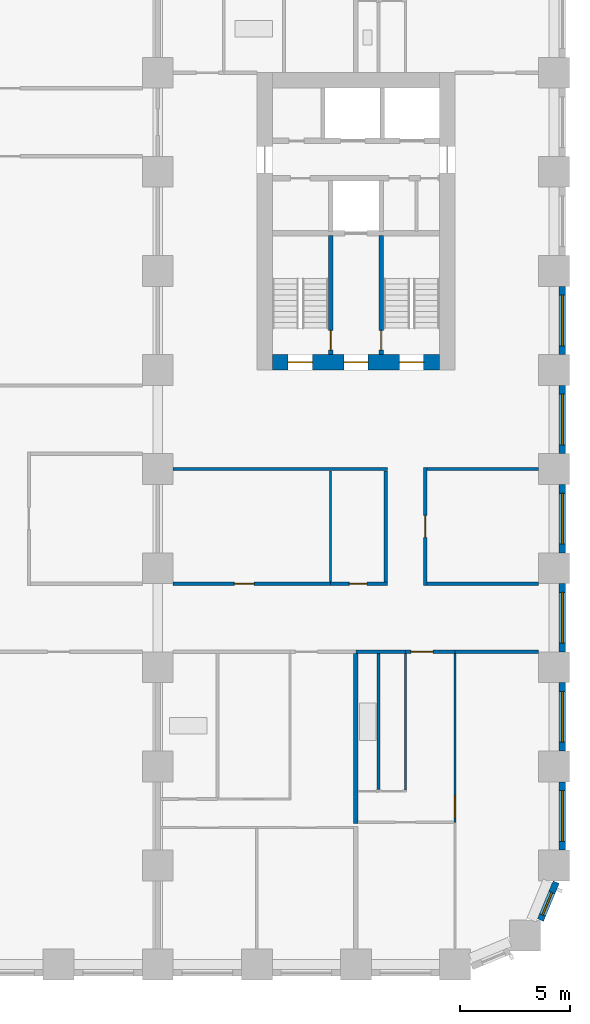
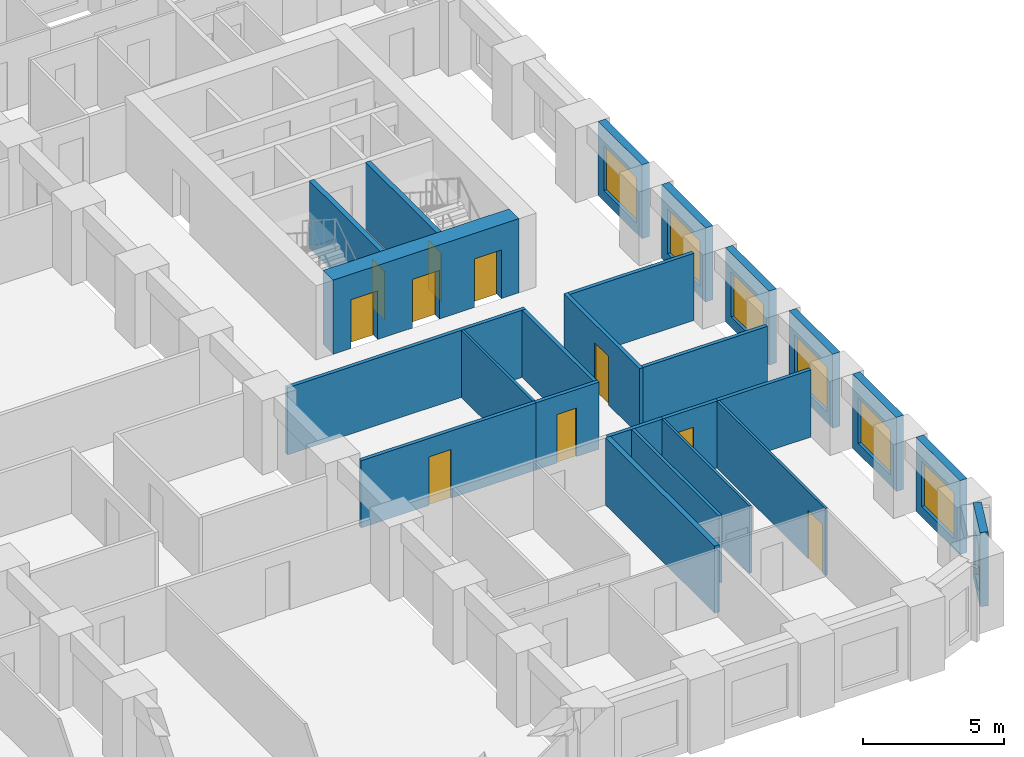
# One storey, part 5 of 12: 25 walls, 10 doors, 7 windows, 17 openings.
"""IFC4 building model written with IfcOpenShell, lengths in metres."""

from ifc_helpers import new_model, si_unit, direction, frame, frame_2d, origin, place, context, subcontext, project, spatial, rectangle, extrude, material, layer, layer_set, type_object, element, fill, save


model = new_model("IFC4")

# Units and contexts
model_context = context("Model", 3, precision=1e-05, world=origin(), true_north=direction((0.0, 1.0)))
body_context = subcontext(model_context, "Body", "Model", "MODEL_VIEW")
ifc_project = project(units=[si_unit("LENGTHUNIT", "METRE"), si_unit("AREAUNIT", "SQUARE_METRE"), si_unit("VOLUMEUNIT", "CUBIC_METRE"), si_unit("PLANEANGLEUNIT", "RADIAN"), si_unit("MASSUNIT", "GRAM", prefix="KILO")], contexts=[model_context])

# Site, building, storey
site_placement = place(None, origin())
site = spatial("IfcSite", under=ifc_project, at=site_placement, CompositionType="ELEMENT")
building_placement = place(site_placement, origin())
building = spatial("IfcBuilding", under=site, at=building_placement, Name="Girih Gate Residences", CompositionType="ELEMENT")
storey_placement = place(building_placement, frame((0.0, 0.0, 68.800048828125)))
storey = spatial("IfcBuildingStorey", under=building, at=storey_placement, Name="L18", CompositionType="ELEMENT", Elevation=68.800048828125)

# Wall
ifc_material_1 = material(Name="Gypsum board on steel studs", Category="steel")
ifc_layer_1 = layer(ifc_material_1, 0.14990234375)
ifc_layer_set_1 = layer_set([ifc_layer_1], Name="Compartment wall 150 mm")
wall_type_1 = type_object("IfcWallType", Name="Compartment wall 150 mm", PredefinedType="PARTITIONING", material=ifc_layer_set_1)
wall_1_placement = place(storey_placement, frame((40.5, 14.199951171875, 0.0), z_axis=(0.0, 0.0, 1.0), x_axis=(1.0, 0.0, 0.0)))
element("IfcWall", 1, at=wall_1_placement, inside=storey, type_object=wall_type_1, Name="L18 partition", PredefinedType="PARTITIONING", context=body_context, shape_type="SweptSolid", body=[
    extrude(rectangle(XDim=2.25, YDim=0.14990234375, at=frame_2d((1.125, 0.0))), origin(), (0.0, 0.0, 1.0), 2.89990234375),
])

# Wall, opening, door
wall_2_placement = place(storey_placement, frame((45.0, 14.199951171875, 0.0), z_axis=(0.0, 0.0, 1.0), x_axis=(-1.0, 0.0, 0.0)))
wall_2 = element("IfcWall", 2, at=wall_2_placement, inside=storey, type_object=wall_type_1, Name="L18 partition", PredefinedType="PARTITIONING", context=body_context, shape_type="SweptSolid", body=[
    extrude(rectangle(XDim=2.25, YDim=0.14990234375, at=frame_2d((1.125, 0.0))), origin(), (0.0, 0.0, 1.0), 2.89990234375),
])
opening_1_placement = place(wall_2_placement, frame((1.0, 0.0, 0.0)))
opening_1 = element("IfcOpeningElement", 3, at=opening_1_placement, cuts=wall_2, Name="Opening A18-018", PredefinedType="OPENING", context=body_context, shape_type="SweptSolid", body=[
    extrude(rectangle(XDim=1.0, YDim=2.10009765625, at=frame_2d((0.5, 1.050048828125))), frame((0.0, 0.0849609375, 0.0), z_axis=(0.0, -1.0, 0.0), x_axis=(1.0, 0.0, 0.0)), (0.0, 0.0, 1.0), 0.169921875),
])
ifc_material_2 = material(Name="Timber, fire-rated core", Category="wood")
door_type_1 = type_object("IfcDoorType", Name="Flat entrance door 1000x2100 FD30S", OperationType="NOTDEFINED", PredefinedType="DOOR", material=ifc_material_2)
door_1_placement = place(opening_1_placement, origin())
door_1 = element("IfcDoor", 4, at=door_1_placement, inside=storey, type_object=door_type_1, Name="Door A18-018", OperationType="SINGLE_SWING_RIGHT", OverallHeight=2.10009765625, OverallWidth=1.0, PredefinedType="DOOR", context=body_context, shape_type="SweptSolid", body=[
    extrude(rectangle(XDim=1.0, YDim=2.10009765625, at=frame_2d((0.5, 1.050048828125))), frame((0.0, 0.02490234375, 0.0), z_axis=(0.0, -1.0, 0.0), x_axis=(1.0, 0.0, 0.0)), (0.0, 0.0, 1.0), 0.050048828125),
])
fill(opening_1, door_1)

# Wall
wall_3_placement = place(storey_placement, frame((45.0, 14.199951171875, 0.0), z_axis=(0.0, 0.0, 1.0), x_axis=(1.0, 0.0, 0.0)))
element("IfcWall", 5, at=wall_3_placement, inside=storey, type_object=wall_type_1, Name="L18 partition", PredefinedType="PARTITIONING", context=body_context, shape_type="SweptSolid", body=[
    extrude(rectangle(XDim=3.800048828125, YDim=0.14990234375, at=frame_2d((1.89990234375, 0.0))), origin(), (0.0, 0.0, 1.0), 2.89990234375),
])

# Wall, opening, door
wall_4_placement = place(storey_placement, frame((32.199951171875, 17.300048828125, 0.0), z_axis=(0.0, 0.0, 1.0), x_axis=(1.0, 0.0, 0.0)))
wall_4 = element("IfcWall", 6, at=wall_4_placement, inside=storey, type_object=wall_type_1, Name="L18 partition", PredefinedType="PARTITIONING", context=body_context, shape_type="SweptSolid", body=[
    extrude(rectangle(XDim=7.150146484375, YDim=0.14990234375, at=frame_2d((3.5751953125, 0.0))), origin(), (0.0, 0.0, 1.0), 2.89990234375),
])
opening_2_placement = place(wall_4_placement, frame((2.77490234375, 0.0, 0.0)))
opening_2 = element("IfcOpeningElement", 7, at=opening_2_placement, cuts=wall_4, Name="Opening A18-042", PredefinedType="OPENING", context=body_context, shape_type="SweptSolid", body=[
    extrude(rectangle(XDim=0.89990234375, YDim=2.10009765625, at=frame_2d((0.449951171875, 1.050048828125))), frame((0.0, 0.0849609375, 0.0), z_axis=(0.0, -1.0, 0.0), x_axis=(1.0, 0.0, 0.0)), (0.0, 0.0, 1.0), 0.169921875),
])
ifc_material_3 = material(Name="Timber", Category="wood")
door_type_2 = type_object("IfcDoorType", Name="Service room door 900x2100", OperationType="NOTDEFINED", PredefinedType="DOOR", material=ifc_material_3)
door_2_placement = place(opening_2_placement, origin())
door_2 = element("IfcDoor", 8, at=door_2_placement, inside=storey, type_object=door_type_2, Name="Door A18-042", OperationType="SINGLE_SWING_LEFT", OverallHeight=2.10009765625, OverallWidth=0.89990234375, PredefinedType="DOOR", context=body_context, shape_type="SweptSolid", body=[
    extrude(rectangle(XDim=0.89990234375, YDim=2.10009765625, at=frame_2d((0.449951171875, 1.050048828125))), frame((0.0, 0.02490234375, 0.0), z_axis=(0.0, -1.0, 0.0), x_axis=(1.0, 0.0, 0.0)), (0.0, 0.0, 1.0), 0.050048828125),
])
fill(opening_2, door_2)

wall_5_placement = place(storey_placement, frame((39.35009765625, 17.300048828125, 0.0), z_axis=(0.0, 0.0, 1.0), x_axis=(1.0, 0.0, 0.0)))
wall_5 = element("IfcWall", 9, at=wall_5_placement, inside=storey, type_object=wall_type_1, Name="L18 partition", PredefinedType="PARTITIONING", context=body_context, shape_type="SweptSolid", body=[
    extrude(rectangle(XDim=2.574951171875, YDim=0.14990234375, at=frame_2d((1.28759765625, 0.0))), origin(), (0.0, 0.0, 1.0), 2.89990234375),
])
opening_3_placement = place(wall_5_placement, frame((0.85009765625, 0.0, 0.0)))
opening_3 = element("IfcOpeningElement", 10, at=opening_3_placement, cuts=wall_5, Name="Opening A18-044", PredefinedType="OPENING", context=body_context, shape_type="SweptSolid", body=[
    extrude(rectangle(XDim=0.800048828125, YDim=2.10009765625, at=frame_2d((0.39990234375, 1.050048828125))), frame((0.0, 0.0849609375, 0.0), z_axis=(0.0, -1.0, 0.0), x_axis=(1.0, 0.0, 0.0)), (0.0, 0.0, 1.0), 0.169921875),
])
door_type_3 = type_object("IfcDoorType", Name="Bathroom door 800x2100", OperationType="NOTDEFINED", PredefinedType="DOOR", material=ifc_material_3)
door_3_placement = place(opening_3_placement, origin())
door_3 = element("IfcDoor", 11, at=door_3_placement, inside=storey, type_object=door_type_3, Name="Door A18-044", OperationType="SINGLE_SWING_LEFT", OverallHeight=2.10009765625, OverallWidth=0.800048828125, PredefinedType="DOOR", context=body_context, shape_type="SweptSolid", body=[
    extrude(rectangle(XDim=0.800048828125, YDim=2.10009765625, at=frame_2d((0.39990234375, 1.050048828125))), frame((0.0, 0.02490234375, 0.0), z_axis=(0.0, -1.0, 0.0), x_axis=(1.0, 0.0, 0.0)), (0.0, 0.0, 1.0), 0.050048828125),
])
fill(opening_3, door_3)

# Walls
wall_6_placement = place(storey_placement, frame((43.72509765625, 17.300048828125, 0.0), z_axis=(0.0, 0.0, 1.0), x_axis=(1.0, 0.0, 0.0)))
element("IfcWall", 12, at=wall_6_placement, inside=storey, type_object=wall_type_1, Name="L18 partition", PredefinedType="PARTITIONING", context=body_context, shape_type="SweptSolid", body=[
    extrude(rectangle(XDim=5.074951171875, YDim=0.14990234375, at=frame_2d((2.53759765625, 0.0))), origin(), (0.0, 0.0, 1.0), 2.89990234375),
])
wall_7_placement = place(storey_placement, frame((32.199951171875, 22.5, 0.0), z_axis=(0.0, 0.0, 1.0), x_axis=(1.0, 0.0, 0.0)))
element("IfcWall", 13, at=wall_7_placement, inside=storey, type_object=wall_type_1, Name="L18 partition", PredefinedType="PARTITIONING", context=body_context, shape_type="SweptSolid", body=[
    extrude(rectangle(XDim=9.72509765625, YDim=0.14990234375, at=frame_2d((4.862548828125, 0.0))), origin(), (0.0, 0.0, 1.0), 2.89990234375),
])
wall_8_placement = place(storey_placement, frame((43.72509765625, 22.5, 0.0), z_axis=(0.0, 0.0, 1.0), x_axis=(1.0, 0.0, 0.0)))
element("IfcWall", 14, at=wall_8_placement, inside=storey, type_object=wall_type_1, Name="L18 partition", PredefinedType="PARTITIONING", context=body_context, shape_type="SweptSolid", body=[
    extrude(rectangle(XDim=5.074951171875, YDim=0.14990234375, at=frame_2d((2.53759765625, 0.0))), origin(), (0.0, 0.0, 1.0), 2.89990234375),
])
wall_9_placement = place(storey_placement, frame((41.85009765625, 17.375, 0.0), z_axis=(0.0, 0.0, 1.0), x_axis=(0.0, 1.0, 0.0)))
element("IfcWall", 15, at=wall_9_placement, inside=storey, type_object=wall_type_1, Name="L18 partition", PredefinedType="PARTITIONING", context=body_context, shape_type="SweptSolid", body=[
    extrude(rectangle(XDim=5.050048828125, YDim=0.14990234375, at=frame_2d((2.52490234375, 0.0))), origin(), (0.0, 0.0, 1.0), 2.89990234375),
])

# Wall, opening, door
wall_10_placement = place(storey_placement, frame((43.64990234375, 22.574951171875, 0.0), z_axis=(0.0, 0.0, 1.0), x_axis=(0.0, -1.0, 0.0)))
wall_10 = element("IfcWall", 16, at=wall_10_placement, inside=storey, type_object=wall_type_1, Name="L18 partition", PredefinedType="PARTITIONING", context=body_context, shape_type="SweptSolid", body=[
    extrude(rectangle(XDim=5.349853515625, YDim=0.14990234375, at=frame_2d((2.6748046875, 0.0))), origin(), (0.0, 0.0, 1.0), 2.89990234375),
])
opening_4_placement = place(wall_10_placement, frame((2.175048828125, 0.0, 0.0)))
opening_4 = element("IfcOpeningElement", 17, at=opening_4_placement, cuts=wall_10, Name="Opening A18-046", PredefinedType="OPENING", context=body_context, shape_type="SweptSolid", body=[
    extrude(rectangle(XDim=1.0, YDim=2.10009765625, at=frame_2d((0.5, 1.050048828125))), frame((0.0, 0.0849609375, 0.0), z_axis=(0.0, -1.0, 0.0), x_axis=(1.0, 0.0, 0.0)), (0.0, 0.0, 1.0), 0.169921875),
])
door_type_4 = type_object("IfcDoorType", Name="Amenity room door 1000x2100 FD30S", OperationType="NOTDEFINED", PredefinedType="DOOR", material=ifc_material_2)
door_4_placement = place(opening_4_placement, origin())
door_4 = element("IfcDoor", 18, at=door_4_placement, inside=storey, type_object=door_type_4, Name="Door A18-046", OperationType="SINGLE_SWING_RIGHT", OverallHeight=2.10009765625, OverallWidth=1.0, PredefinedType="DOOR", context=body_context, shape_type="SweptSolid", body=[
    extrude(rectangle(XDim=1.0, YDim=2.10009765625, at=frame_2d((0.5, 1.050048828125))), frame((0.0, 0.02490234375, 0.0), z_axis=(0.0, -1.0, 0.0), x_axis=(1.0, 0.0, 0.0)), (0.0, 0.0, 1.0), 0.050048828125),
])
fill(opening_4, door_4)

# Wall, openings, doors
ifc_material_4 = material(Name="Concrete C60/75", Category="concrete")
ifc_layer_2 = layer(ifc_material_4, 0.699951171875)
ifc_layer_set_2 = layer_set([ifc_layer_2], Name="Core wall RC 700 Concrete C60/75")
wall_type_2 = type_object("IfcWallType", Name="Core wall RC 700 Concrete C60/75", PredefinedType="SOLIDWALL", material=ifc_layer_set_2)
wall_11_placement = place(storey_placement, frame((36.699951171875, 27.35009765625, 0.0), z_axis=(0.0, 0.0, 1.0), x_axis=(1.0, 0.0, 0.0)))
wall_11 = element("IfcWall", 19, at=wall_11_placement, inside=storey, type_object=wall_type_2, Name="Core wall E-S L18", PredefinedType="SOLIDWALL", context=body_context, shape_type="SweptSolid", body=[
    extrude(rectangle(XDim=7.60009765625, YDim=0.699951171875, at=frame_2d((3.800048828125, 0.0))), origin(), (0.0, 0.0, 1.0), 3.199951171875),
])
opening_5_placement = place(wall_11_placement, frame((5.77490234375, 0.0, 0.0)))
opening_5 = element("IfcOpeningElement", 20, at=opening_5_placement, cuts=wall_11, Name="Opening D-L18-E-010", PredefinedType="OPENING", context=body_context, shape_type="SweptSolid", body=[
    extrude(rectangle(XDim=1.10009765625, YDim=2.10009765625, at=frame_2d((0.550048828125, 1.050048828125))), frame((0.0, 0.35986328125, 0.0), z_axis=(0.0, -1.0, 0.0), x_axis=(1.0, 0.0, 0.0)), (0.0, 0.0, 1.0), 0.719970703125),
])
opening_6_placement = place(wall_11_placement, frame((3.25, 0.0, 0.0)))
opening_6 = element("IfcOpeningElement", 21, at=opening_6_placement, cuts=wall_11, Name="Opening D-L18-E-011", PredefinedType="OPENING", context=body_context, shape_type="SweptSolid", body=[
    extrude(rectangle(XDim=1.10009765625, YDim=2.10009765625, at=frame_2d((0.550048828125, 1.050048828125))), frame((0.0, 0.35986328125, 0.0), z_axis=(0.0, -1.0, 0.0), x_axis=(1.0, 0.0, 0.0)), (0.0, 0.0, 1.0), 0.719970703125),
])
opening_7_placement = place(wall_11_placement, frame((0.72509765625, 0.0, 0.0)))
opening_7 = element("IfcOpeningElement", 22, at=opening_7_placement, cuts=wall_11, Name="Opening D-L18-E-012", PredefinedType="OPENING", context=body_context, shape_type="SweptSolid", body=[
    extrude(rectangle(XDim=1.10009765625, YDim=2.10009765625, at=frame_2d((0.550048828125, 1.050048828125))), frame((0.0, 0.35986328125, 0.0), z_axis=(0.0, -1.0, 0.0), x_axis=(1.0, 0.0, 0.0)), (0.0, 0.0, 1.0), 0.719970703125),
])
ifc_material_5 = material(Name="Painted steel, fire-resisting", Category="steel")
door_type_5 = type_object("IfcDoorType", Name="Fire door 1100x2100", OperationType="SINGLE_SWING_LEFT", PredefinedType="DOOR", material=ifc_material_5)
door_5_placement = place(opening_5_placement, origin())
door_5 = element("IfcDoor", 23, at=door_5_placement, inside=storey, type_object=door_type_5, Name="L18 E core door sta-out", OperationType="SINGLE_SWING_LEFT", OverallHeight=2.10009765625, OverallWidth=1.10009765625, PredefinedType="DOOR", context=body_context, shape_type="SweptSolid", body=[
    extrude(rectangle(XDim=1.10009765625, YDim=2.10009765625, at=frame_2d((0.550048828125, 1.050048828125))), frame((0.0, 0.02490234375, 0.0), z_axis=(0.0, -1.0, 0.0), x_axis=(1.0, 0.0, 0.0)), (0.0, 0.0, 1.0), 0.050048828125),
])
fill(opening_5, door_5)
door_6_placement = place(opening_6_placement, origin())
door_6 = element("IfcDoor", 24, at=door_6_placement, inside=storey, type_object=door_type_5, Name="L18 E core door ffl-out", OperationType="SINGLE_SWING_LEFT", OverallHeight=2.10009765625, OverallWidth=1.10009765625, PredefinedType="DOOR", context=body_context, shape_type="SweptSolid", body=[
    extrude(rectangle(XDim=1.10009765625, YDim=2.10009765625, at=frame_2d((0.550048828125, 1.050048828125))), frame((0.0, 0.02490234375, 0.0), z_axis=(0.0, -1.0, 0.0), x_axis=(1.0, 0.0, 0.0)), (0.0, 0.0, 1.0), 0.050048828125),
])
fill(opening_6, door_6)
door_7_placement = place(opening_7_placement, origin())
door_7 = element("IfcDoor", 25, at=door_7_placement, inside=storey, type_object=door_type_5, Name="L18 E core door stb-out", OperationType="SINGLE_SWING_LEFT", OverallHeight=2.10009765625, OverallWidth=1.10009765625, PredefinedType="DOOR", context=body_context, shape_type="SweptSolid", body=[
    extrude(rectangle(XDim=1.10009765625, YDim=2.10009765625, at=frame_2d((0.550048828125, 1.050048828125))), frame((0.0, 0.02490234375, 0.0), z_axis=(0.0, -1.0, 0.0), x_axis=(1.0, 0.0, 0.0)), (0.0, 0.0, 1.0), 0.050048828125),
])
fill(opening_7, door_7)

# Wall
ifc_layer_3 = layer(ifc_material_1, 0.10009765625)
ifc_layer_set_3 = layer_set([ifc_layer_3], Name="Partition 100 mm")
wall_type_3 = type_object("IfcWallType", Name="Partition 100 mm", PredefinedType="PARTITIONING", material=ifc_layer_set_3)
wall_12_placement = place(storey_placement, frame((42.75, 7.929931640625, 0.0), z_axis=(0.0, 0.0, 1.0), x_axis=(0.0, 1.0, 0.0)))
element("IfcWall", 26, at=wall_12_placement, inside=storey, type_object=wall_type_3, Name="L18 partition", PredefinedType="PARTITIONING", context=body_context, shape_type="SweptSolid", body=[
    extrude(rectangle(XDim=6.195068359375, YDim=0.10009765625, at=frame_2d((3.09765625, 0.0))), origin(), (0.0, 0.0, 1.0), 2.89990234375),
])

# Wall, opening, door
wall_13_placement = place(storey_placement, frame((45.0, 14.125, 0.0), z_axis=(0.0, 0.0, 1.0), x_axis=(0.0, -1.0, 0.0)))
wall_13 = element("IfcWall", 27, at=wall_13_placement, inside=storey, type_object=wall_type_3, Name="L18 partition", PredefinedType="PARTITIONING", context=body_context, shape_type="SweptSolid", body=[
    extrude(rectangle(XDim=7.6650390625, YDim=0.10009765625, at=frame_2d((3.83251953125, 0.0))), origin(), (0.0, 0.0, 1.0), 2.89990234375),
])
opening_8_placement = place(wall_13_placement, frame((6.455078125, 0.0, 0.0)))
opening_8 = element("IfcOpeningElement", 28, at=opening_8_placement, cuts=wall_13, Name="Opening A18-017", PredefinedType="OPENING", context=body_context, shape_type="SweptSolid", body=[
    extrude(rectangle(XDim=1.0, YDim=2.10009765625, at=frame_2d((0.5, 1.050048828125))), frame((0.0, 0.06005859375, 0.0), z_axis=(0.0, -1.0, 0.0), x_axis=(1.0, 0.0, 0.0)), (0.0, 0.0, 1.0), 0.1201171875),
])
door_type_6 = type_object("IfcDoorType", Name="Living room door 1000x2100", OperationType="NOTDEFINED", PredefinedType="DOOR", material=ifc_material_3)
door_8_placement = place(opening_8_placement, origin())
door_8 = element("IfcDoor", 29, at=door_8_placement, inside=storey, type_object=door_type_6, Name="Door A18-017", OperationType="SINGLE_SWING_RIGHT", OverallHeight=2.10009765625, OverallWidth=1.0, PredefinedType="DOOR", context=body_context, shape_type="SweptSolid", body=[
    extrude(rectangle(XDim=1.0, YDim=2.10009765625, at=frame_2d((0.5, 1.050048828125))), frame((0.0, 0.02490234375, 0.0), z_axis=(0.0, -1.0, 0.0), x_axis=(1.0, 0.0, 0.0)), (0.0, 0.0, 1.0), 0.050048828125),
])
fill(opening_8, door_8)

# Walls
wall_14_placement = place(storey_placement, frame((39.35009765625, 17.375, 0.0), z_axis=(0.0, 0.0, 1.0), x_axis=(0.0, 1.0, 0.0)))
element("IfcWall", 30, at=wall_14_placement, inside=storey, type_object=wall_type_3, Name="L18 partition", PredefinedType="PARTITIONING", context=body_context, shape_type="SweptSolid", body=[
    extrude(rectangle(XDim=5.050048828125, YDim=0.10009765625, at=frame_2d((2.52490234375, 0.0))), origin(), (0.0, 0.0, 1.0), 2.89990234375),
])
ifc_layer_4 = layer(ifc_material_1, 0.199951171875)
ifc_layer_set_4 = layer_set([ifc_layer_4], Name="Party wall 200 mm")
wall_type_4 = type_object("IfcWallType", Name="Party wall 200 mm", PredefinedType="PARTITIONING", material=ifc_layer_set_4)
wall_15_placement = place(storey_placement, frame((40.5, 6.409912109375, 0.0), z_axis=(0.0, 0.0, 1.0), x_axis=(0.0, 1.0, 0.0)))
element("IfcWall", 31, at=wall_15_placement, inside=storey, type_object=wall_type_4, Name="L18 partition", PredefinedType="PARTITIONING", context=body_context, shape_type="SweptSolid", body=[
    extrude(rectangle(XDim=7.715087890625, YDim=0.199951171875, at=frame_2d((3.857421875, 0.0))), origin(), (0.0, 0.0, 1.0), 2.89990234375),
])

# Wall, opening, window
ifc_material_6 = material(Name="Precast concrete C50/60", Category="concrete")
ifc_layer_5 = layer(ifc_material_6, 0.080078125, Name="Outer leaf")
ifc_material_7 = material(Name="Rigid PIR insulation")
ifc_layer_6 = layer(ifc_material_7, 0.14990234375, Name="Insulation")
ifc_material_8 = material(Name="Precast concrete C40/50", Category="concrete")
ifc_layer_7 = layer(ifc_material_8, 0.070068359375, Name="Inner leaf")
ifc_layer_set_5 = layer_set([ifc_layer_5, ifc_layer_6, ifc_layer_7], Name="Precast concrete C50/60 external wall 300")
wall_type_5 = type_object("IfcWallType", Name="Precast concrete C50/60 external wall 300", PredefinedType="SOLIDWALL", material=ifc_layer_set_5)
wall_16_placement = place(storey_placement, frame((49.59228515625, 3.74267578125, 0.0), z_axis=(0.0, 0.0, 1.0), x_axis=(-0.382737135771, -0.923857286003, 0.0)))
wall_16 = element("IfcWall", 32, at=wall_16_placement, inside=storey, type_object=wall_type_5, Name="External wall SE0482_0013.0", PredefinedType="SOLIDWALL", context=body_context, shape_type="SweptSolid", body=[
    extrude(rectangle(XDim=1.865234375, YDim=0.300048828125, at=frame_2d((0.9326171875, 0.0))), origin(), (0.0, 0.0, 1.0), 3.199951171875),
])
opening_9_placement = place(wall_16_placement, frame((0.507568359375, 0.0, 0.449951171875)))
opening_9 = element("IfcOpeningElement", 33, at=opening_9_placement, cuts=wall_16, Name="Opening W-2C", PredefinedType="OPENING", context=body_context, shape_type="SweptSolid", body=[
    extrude(rectangle(XDim=1.10009765625, YDim=1.949951171875, at=frame_2d((0.550048828125, 0.97509765625))), frame((0.0, 0.159912109375, 0.0), z_axis=(0.0, -1.0, 0.0), x_axis=(1.0, 0.0, 0.0)), (0.0, 0.0, 1.0), 0.320068359375),
])
ifc_material_9 = material(Name="Double glazing in aluminium frame", Category="aluminium")
window_type_1 = type_object("IfcWindowType", Name="Window W-2C 1100x1950", PartitioningType="SINGLE_PANEL", PredefinedType="WINDOW", material=ifc_material_9)
window_1_placement = place(opening_9_placement, origin())
window_1 = element("IfcWindow", 34, at=window_1_placement, inside=storey, type_object=window_type_1, Name="Window W-2C SE0482_0013.0", OverallHeight=1.949951171875, OverallWidth=1.10009765625, PartitioningType="SINGLE_PANEL", PredefinedType="WINDOW", context=body_context, shape_type="SweptSolid", body=[
    extrude(rectangle(XDim=1.10009765625, YDim=1.949951171875, at=frame_2d((0.550048828125, 0.97509765625))), frame((0.0, 0.030029296875, 0.0), z_axis=(0.0, -1.0, 0.0), x_axis=(1.0, 0.0, 0.0)), (0.0, 0.0, 1.0), 0.06005859375),
])
fill(opening_9, window_1)

wall_17_placement = place(storey_placement, frame((49.875, 8.300048828125, 0.0), z_axis=(0.0, 0.0, 1.0), x_axis=(0.0, -1.0, 0.0)))
wall_17 = element("IfcWall", 35, at=wall_17_placement, inside=storey, type_object=wall_type_5, Name="External wall E0495_0045.0", PredefinedType="SOLIDWALL", context=body_context, shape_type="SweptSolid", body=[
    extrude(rectangle(XDim=3.10009765625, YDim=0.300048828125, at=frame_2d((1.550048828125, 0.0))), origin(), (0.0, 0.0, 1.0), 3.199951171875),
])
opening_10_placement = place(wall_17_placement, frame((0.39990234375, 0.0, 0.449951171875)))
opening_10 = element("IfcOpeningElement", 36, at=opening_10_placement, cuts=wall_17, Name="Opening W-1", PredefinedType="OPENING", context=body_context, shape_type="SweptSolid", body=[
    extrude(rectangle(XDim=2.300048828125, YDim=1.949951171875, at=frame_2d((1.14990234375, 0.97509765625))), frame((0.0, 0.159912109375, 0.0), z_axis=(0.0, -1.0, 0.0), x_axis=(1.0, 0.0, 0.0)), (0.0, 0.0, 1.0), 0.320068359375),
])
window_type_2 = type_object("IfcWindowType", Name="Window W-1 2300x1950", PartitioningType="SINGLE_PANEL", PredefinedType="WINDOW", material=ifc_material_9)
window_2_placement = place(opening_10_placement, origin())
window_2 = element("IfcWindow", 37, at=window_2_placement, inside=storey, type_object=window_type_2, Name="Window W-1 E0495_0045.0", OverallHeight=1.949951171875, OverallWidth=2.300048828125, PartitioningType="SINGLE_PANEL", PredefinedType="WINDOW", context=body_context, shape_type="SweptSolid", body=[
    extrude(rectangle(XDim=2.300048828125, YDim=1.949951171875, at=frame_2d((1.14990234375, 0.97509765625))), frame((0.0, 0.030029296875, 0.0), z_axis=(0.0, -1.0, 0.0), x_axis=(1.0, 0.0, 0.0)), (0.0, 0.0, 1.0), 0.06005859375),
])
fill(opening_10, window_2)

wall_18_placement = place(storey_placement, frame((49.875, 12.800048828125, 0.0), z_axis=(0.0, 0.0, 1.0), x_axis=(0.0, -1.0, 0.0)))
wall_18 = element("IfcWall", 38, at=wall_18_placement, inside=storey, type_object=wall_type_5, Name="External wall E0495_0045.1", PredefinedType="SOLIDWALL", context=body_context, shape_type="SweptSolid", body=[
    extrude(rectangle(XDim=3.10009765625, YDim=0.300048828125, at=frame_2d((1.550048828125, 0.0))), origin(), (0.0, 0.0, 1.0), 3.199951171875),
])
opening_11_placement = place(wall_18_placement, frame((0.39990234375, 0.0, 0.449951171875)))
opening_11 = element("IfcOpeningElement", 39, at=opening_11_placement, cuts=wall_18, Name="Opening W-1", PredefinedType="OPENING", context=body_context, shape_type="SweptSolid", body=[
    extrude(rectangle(XDim=2.300048828125, YDim=1.949951171875, at=frame_2d((1.14990234375, 0.97509765625))), frame((0.0, 0.159912109375, 0.0), z_axis=(0.0, -1.0, 0.0), x_axis=(1.0, 0.0, 0.0)), (0.0, 0.0, 1.0), 0.320068359375),
])
window_3_placement = place(opening_11_placement, origin())
window_3 = element("IfcWindow", 40, at=window_3_placement, inside=storey, type_object=window_type_2, Name="Window W-1 E0495_0045.1", OverallHeight=1.949951171875, OverallWidth=2.300048828125, PartitioningType="SINGLE_PANEL", PredefinedType="WINDOW", context=body_context, shape_type="SweptSolid", body=[
    extrude(rectangle(XDim=2.300048828125, YDim=1.949951171875, at=frame_2d((1.14990234375, 0.97509765625))), frame((0.0, 0.030029296875, 0.0), z_axis=(0.0, -1.0, 0.0), x_axis=(1.0, 0.0, 0.0)), (0.0, 0.0, 1.0), 0.06005859375),
])
fill(opening_11, window_3)

wall_19_placement = place(storey_placement, frame((49.875, 17.300048828125, 0.0), z_axis=(0.0, 0.0, 1.0), x_axis=(0.0, -1.0, 0.0)))
wall_19 = element("IfcWall", 41, at=wall_19_placement, inside=storey, type_object=wall_type_5, Name="External wall E0495_0045.2", PredefinedType="SOLIDWALL", context=body_context, shape_type="SweptSolid", body=[
    extrude(rectangle(XDim=3.10009765625, YDim=0.300048828125, at=frame_2d((1.550048828125, 0.0))), origin(), (0.0, 0.0, 1.0), 3.199951171875),
])
opening_12_placement = place(wall_19_placement, frame((0.39990234375, 0.0, 0.449951171875)))
opening_12 = element("IfcOpeningElement", 42, at=opening_12_placement, cuts=wall_19, Name="Opening W-1", PredefinedType="OPENING", context=body_context, shape_type="SweptSolid", body=[
    extrude(rectangle(XDim=2.300048828125, YDim=1.949951171875, at=frame_2d((1.14990234375, 0.97509765625))), frame((0.0, 0.159912109375, 0.0), z_axis=(0.0, -1.0, 0.0), x_axis=(1.0, 0.0, 0.0)), (0.0, 0.0, 1.0), 0.320068359375),
])
window_4_placement = place(opening_12_placement, origin())
window_4 = element("IfcWindow", 43, at=window_4_placement, inside=storey, type_object=window_type_2, Name="Window W-1 E0495_0045.2", OverallHeight=1.949951171875, OverallWidth=2.300048828125, PartitioningType="SINGLE_PANEL", PredefinedType="WINDOW", context=body_context, shape_type="SweptSolid", body=[
    extrude(rectangle(XDim=2.300048828125, YDim=1.949951171875, at=frame_2d((1.14990234375, 0.97509765625))), frame((0.0, 0.030029296875, 0.0), z_axis=(0.0, -1.0, 0.0), x_axis=(1.0, 0.0, 0.0)), (0.0, 0.0, 1.0), 0.06005859375),
])
fill(opening_12, window_4)

wall_20_placement = place(storey_placement, frame((49.875, 21.800048828125, 0.0), z_axis=(0.0, 0.0, 1.0), x_axis=(0.0, -1.0, 0.0)))
wall_20 = element("IfcWall", 44, at=wall_20_placement, inside=storey, type_object=wall_type_5, Name="External wall E0495_0045.3", PredefinedType="SOLIDWALL", context=body_context, shape_type="SweptSolid", body=[
    extrude(rectangle(XDim=3.10009765625, YDim=0.300048828125, at=frame_2d((1.550048828125, 0.0))), origin(), (0.0, 0.0, 1.0), 3.199951171875),
])
opening_13_placement = place(wall_20_placement, frame((0.39990234375, 0.0, 0.449951171875)))
opening_13 = element("IfcOpeningElement", 45, at=opening_13_placement, cuts=wall_20, Name="Opening W-1", PredefinedType="OPENING", context=body_context, shape_type="SweptSolid", body=[
    extrude(rectangle(XDim=2.300048828125, YDim=1.949951171875, at=frame_2d((1.14990234375, 0.97509765625))), frame((0.0, 0.159912109375, 0.0), z_axis=(0.0, -1.0, 0.0), x_axis=(1.0, 0.0, 0.0)), (0.0, 0.0, 1.0), 0.320068359375),
])
window_5_placement = place(opening_13_placement, origin())
window_5 = element("IfcWindow", 46, at=window_5_placement, inside=storey, type_object=window_type_2, Name="Window W-1 E0495_0045.3", OverallHeight=1.949951171875, OverallWidth=2.300048828125, PartitioningType="SINGLE_PANEL", PredefinedType="WINDOW", context=body_context, shape_type="SweptSolid", body=[
    extrude(rectangle(XDim=2.300048828125, YDim=1.949951171875, at=frame_2d((1.14990234375, 0.97509765625))), frame((0.0, 0.030029296875, 0.0), z_axis=(0.0, -1.0, 0.0), x_axis=(1.0, 0.0, 0.0)), (0.0, 0.0, 1.0), 0.06005859375),
])
fill(opening_13, window_5)

wall_21_placement = place(storey_placement, frame((49.875, 26.300048828125, 0.0), z_axis=(0.0, 0.0, 1.0), x_axis=(0.0, -1.0, 0.0)))
wall_21 = element("IfcWall", 47, at=wall_21_placement, inside=storey, type_object=wall_type_5, Name="External wall E0495_0045.4", PredefinedType="SOLIDWALL", context=body_context, shape_type="SweptSolid", body=[
    extrude(rectangle(XDim=3.10009765625, YDim=0.300048828125, at=frame_2d((1.550048828125, 0.0))), origin(), (0.0, 0.0, 1.0), 3.199951171875),
])
opening_14_placement = place(wall_21_placement, frame((0.39990234375, 0.0, 0.449951171875)))
opening_14 = element("IfcOpeningElement", 48, at=opening_14_placement, cuts=wall_21, Name="Opening W-1", PredefinedType="OPENING", context=body_context, shape_type="SweptSolid", body=[
    extrude(rectangle(XDim=2.300048828125, YDim=1.949951171875, at=frame_2d((1.14990234375, 0.97509765625))), frame((0.0, 0.159912109375, 0.0), z_axis=(0.0, -1.0, 0.0), x_axis=(1.0, 0.0, 0.0)), (0.0, 0.0, 1.0), 0.320068359375),
])
window_6_placement = place(opening_14_placement, origin())
window_6 = element("IfcWindow", 49, at=window_6_placement, inside=storey, type_object=window_type_2, Name="Window W-1 E0495_0045.4", OverallHeight=1.949951171875, OverallWidth=2.300048828125, PartitioningType="SINGLE_PANEL", PredefinedType="WINDOW", context=body_context, shape_type="SweptSolid", body=[
    extrude(rectangle(XDim=2.300048828125, YDim=1.949951171875, at=frame_2d((1.14990234375, 0.97509765625))), frame((0.0, 0.030029296875, 0.0), z_axis=(0.0, -1.0, 0.0), x_axis=(1.0, 0.0, 0.0)), (0.0, 0.0, 1.0), 0.06005859375),
])
fill(opening_14, window_6)

wall_22_placement = place(storey_placement, frame((49.875, 30.800048828125, 0.0), z_axis=(0.0, 0.0, 1.0), x_axis=(0.0, -1.0, 0.0)))
wall_22 = element("IfcWall", 50, at=wall_22_placement, inside=storey, type_object=wall_type_5, Name="External wall E0495_0045.5", PredefinedType="SOLIDWALL", context=body_context, shape_type="SweptSolid", body=[
    extrude(rectangle(XDim=3.10009765625, YDim=0.300048828125, at=frame_2d((1.550048828125, 0.0))), origin(), (0.0, 0.0, 1.0), 3.199951171875),
])
opening_15_placement = place(wall_22_placement, frame((0.39990234375, 0.0, 0.449951171875)))
opening_15 = element("IfcOpeningElement", 51, at=opening_15_placement, cuts=wall_22, Name="Opening W-1", PredefinedType="OPENING", context=body_context, shape_type="SweptSolid", body=[
    extrude(rectangle(XDim=2.300048828125, YDim=1.949951171875, at=frame_2d((1.14990234375, 0.97509765625))), frame((0.0, 0.159912109375, 0.0), z_axis=(0.0, -1.0, 0.0), x_axis=(1.0, 0.0, 0.0)), (0.0, 0.0, 1.0), 0.320068359375),
])
window_7_placement = place(opening_15_placement, origin())
window_7 = element("IfcWindow", 52, at=window_7_placement, inside=storey, type_object=window_type_2, Name="Window W-1 E0495_0045.5", OverallHeight=1.949951171875, OverallWidth=2.300048828125, PartitioningType="SINGLE_PANEL", PredefinedType="WINDOW", context=body_context, shape_type="SweptSolid", body=[
    extrude(rectangle(XDim=2.300048828125, YDim=1.949951171875, at=frame_2d((1.14990234375, 0.97509765625))), frame((0.0, 0.030029296875, 0.0), z_axis=(0.0, -1.0, 0.0), x_axis=(1.0, 0.0, 0.0)), (0.0, 0.0, 1.0), 0.06005859375),
])
fill(opening_15, window_7)

# Wall, opening, door
ifc_material_10 = material(Name="Concrete C40/50", Category="concrete")
ifc_layer_8 = layer(ifc_material_10, 0.199951171875)
ifc_layer_set_6 = layer_set([ifc_layer_8], Name="Shaft wall 200")
wall_type_6 = type_object("IfcWallType", Name="Shaft wall 200", PredefinedType="SOLIDWALL", material=ifc_layer_set_6)
wall_23_placement = place(storey_placement, frame((41.64990234375, 27.699951171875, 0.0), z_axis=(0.0, 0.0, 1.0), x_axis=(0.0, 1.0, 0.0)))
wall_23 = element("IfcWall", 53, at=wall_23_placement, inside=storey, type_object=wall_type_6, Name="L18 E core wall V1a", PredefinedType="SOLIDWALL", context=body_context, shape_type="SweptSolid", body=[
    extrude(rectangle(XDim=5.400146484375, YDim=0.199951171875, at=frame_2d((2.7001953125, 0.0))), origin(), (0.0, 0.0, 1.0), 2.89990234375),
])
opening_16_placement = place(wall_23_placement, frame((0.199951171875, 0.0, 0.0)))
opening_16 = element("IfcOpeningElement", 54, at=opening_16_placement, cuts=wall_23, Name="Opening D-L18-E-001", PredefinedType="OPENING", context=body_context, shape_type="SweptSolid", body=[
    extrude(rectangle(XDim=0.89990234375, YDim=2.10009765625, at=frame_2d((0.449951171875, 1.050048828125))), frame((0.0, 0.10986328125, 0.0), z_axis=(0.0, -1.0, 0.0), x_axis=(1.0, 0.0, 0.0)), (0.0, 0.0, 1.0), 0.219970703125),
])
door_type_7 = type_object("IfcDoorType", Name="Fire door 900x2100", OperationType="SINGLE_SWING_LEFT", PredefinedType="DOOR", material=ifc_material_5)
door_9_placement = place(opening_16_placement, origin())
door_9 = element("IfcDoor", 55, at=door_9_placement, inside=storey, type_object=door_type_7, Name="L18 E door stair 1 to firefighting lobby", OperationType="SINGLE_SWING_LEFT", OverallHeight=2.10009765625, OverallWidth=0.89990234375, PredefinedType="DOOR", context=body_context, shape_type="SweptSolid", body=[
    extrude(rectangle(XDim=0.89990234375, YDim=2.10009765625, at=frame_2d((0.449951171875, 1.050048828125))), frame((0.0, 0.02490234375, 0.0), z_axis=(0.0, -1.0, 0.0), x_axis=(1.0, 0.0, 0.0)), (0.0, 0.0, 1.0), 0.050048828125),
])
fill(opening_16, door_9)

wall_24_placement = place(storey_placement, frame((39.35009765625, 27.699951171875, 0.0), z_axis=(0.0, 0.0, 1.0), x_axis=(0.0, 1.0, 0.0)))
wall_24 = element("IfcWall", 56, at=wall_24_placement, inside=storey, type_object=wall_type_6, Name="L18 E core wall V2a", PredefinedType="SOLIDWALL", context=body_context, shape_type="SweptSolid", body=[
    extrude(rectangle(XDim=5.400146484375, YDim=0.199951171875, at=frame_2d((2.7001953125, 0.0))), origin(), (0.0, 0.0, 1.0), 2.89990234375),
])
opening_17_placement = place(wall_24_placement, frame((0.199951171875, 0.0, 0.0)))
opening_17 = element("IfcOpeningElement", 57, at=opening_17_placement, cuts=wall_24, Name="Opening D-L18-E-002", PredefinedType="OPENING", context=body_context, shape_type="SweptSolid", body=[
    extrude(rectangle(XDim=0.89990234375, YDim=2.10009765625, at=frame_2d((0.449951171875, 1.050048828125))), frame((0.0, 0.10986328125, 0.0), z_axis=(0.0, -1.0, 0.0), x_axis=(1.0, 0.0, 0.0)), (0.0, 0.0, 1.0), 0.219970703125),
])
door_10_placement = place(opening_17_placement, origin())
door_10 = element("IfcDoor", 58, at=door_10_placement, inside=storey, type_object=door_type_7, Name="L18 E door stair 2 to firefighting lobby", OperationType="SINGLE_SWING_LEFT", OverallHeight=2.10009765625, OverallWidth=0.89990234375, PredefinedType="DOOR", context=body_context, shape_type="SweptSolid", body=[
    extrude(rectangle(XDim=0.89990234375, YDim=2.10009765625, at=frame_2d((0.449951171875, 1.050048828125))), frame((0.0, 0.02490234375, 0.0), z_axis=(0.0, -1.0, 0.0), x_axis=(1.0, 0.0, 0.0)), (0.0, 0.0, 1.0), 0.050048828125),
])
fill(opening_17, door_10)

# Wall
ifc_layer_9 = layer(ifc_material_1, 0.125)
ifc_layer_set_7 = layer_set([ifc_layer_9], Name="Wet room wall 125 mm")
wall_type_7 = type_object("IfcWallType", Name="Wet room wall 125 mm", PredefinedType="PARTITIONING", material=ifc_layer_set_7)
wall_25_placement = place(storey_placement, frame((41.52294921875, 7.9423828125, 0.0), z_axis=(0.0, 0.0, 1.0), x_axis=(0.0, 1.0, 0.0)))
element("IfcWall", 59, at=wall_25_placement, inside=storey, type_object=wall_type_7, Name="L18 partition", PredefinedType="PARTITIONING", context=body_context, shape_type="SweptSolid", body=[
    extrude(rectangle(XDim=6.1826171875, YDim=0.125, at=frame_2d((3.09130859375, 0.0))), origin(), (0.0, 0.0, 1.0), 2.89990234375),
])

save(model, "model.ifc")
